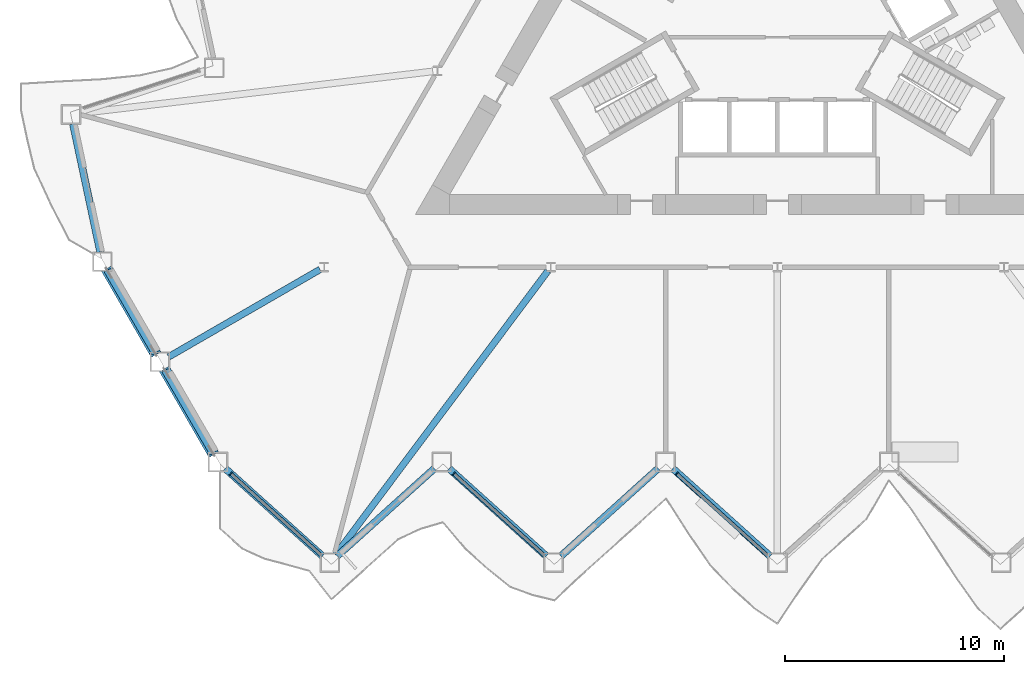
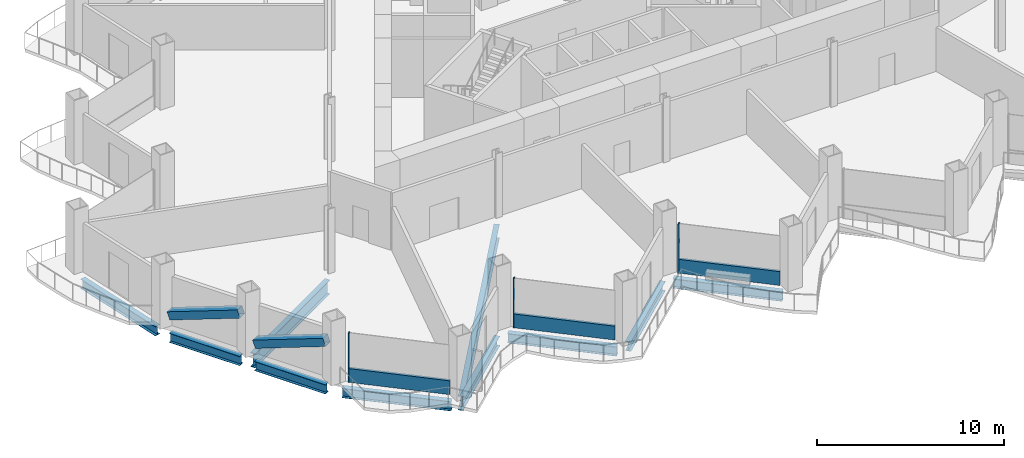
# One storey, part 3 of 21: 10 beams, 8 members, 3 elements without a shape of their own.
"""IFC4 building model written with IfcOpenShell, lengths in metres."""

from ifc_helpers import new_model, si_unit, direction, frame, origin, origin_2d, place, context, subcontext, project, spatial, rectangle, hollow_rectangle, i_section, extrude, material, layer, layer_set, material_profile, profile_set, type_object, element, aggregate, save


model = new_model("IFC4")

# Units and contexts
model_context = context("Model", 3, precision=1e-05, world=origin(), true_north=direction((0.0, 1.0)))
body_context = subcontext(model_context, "Body", "Model", "MODEL_VIEW")
ifc_project = project(units=[si_unit("LENGTHUNIT", "METRE"), si_unit("AREAUNIT", "SQUARE_METRE"), si_unit("VOLUMEUNIT", "CUBIC_METRE"), si_unit("PLANEANGLEUNIT", "RADIAN"), si_unit("MASSUNIT", "GRAM", prefix="KILO")], contexts=[model_context])

# Site, building, storey
site_placement = place(None, origin())
site = spatial("IfcSite", under=ifc_project, at=site_placement, CompositionType="ELEMENT")
building_placement = place(site_placement, origin())
building = spatial("IfcBuilding", under=site, at=building_placement, Name="Cormorant Prow Tower", CompositionType="ELEMENT")
storey_placement = place(building_placement, frame((0.0, 0.0, 150.0)))
storey = spatial("IfcBuildingStorey", under=building, at=storey_placement, Name="L32", CompositionType="ELEMENT", Elevation=150.0)

# Members
ifc_material_1 = material(Name="Structural steel ASTM A500 Gr C", Category="steel")
ifc_material_profile_1 = material_profile(ifc_material_1, hollow_rectangle(XDim=0.508056640625, YDim=0.508056640625, WallThickness=0.014892578125, at=origin_2d()), Name="HSS20x20x5/8")
ifc_profile_set_1 = profile_set([ifc_material_profile_1], Name="Structural steel ASTM A500 Gr C")
member_type_1 = type_object("IfcMemberType", Name="Chamfer brace HSS20x20x5/8", PredefinedType="BRACE", material=ifc_profile_set_1)
for number, where, z_axis, x_axis, name in (
    (1, (-30.535400390625, -12.0849609375, 0.776611328125), (0.467784671838, -0.810243526908, 0.35310469821), (0.866029868417, 0.499992266949, 0.0), "Chamfer brace BR1 at WSW00 L32"),
    (2, (-27.900634765625, -16.648681640625, 0.776611328125), (0.467784671838, -0.810243526908, 0.35310469821), (0.866029868417, 0.499992266949, 0.0), "Chamfer brace BR1 at WSW01 L32"),
):
    element("IfcMember", number, at=place(storey_placement, frame(where, z_axis=z_axis, x_axis=x_axis)), inside=storey, type_object=member_type_1, Name=name, PredefinedType="BRACE", context=body_context, shape_type="SweptSolid", body=[
        extrude(hollow_rectangle(XDim=0.508056640625, YDim=0.508056640625, WallThickness=0.014892578125, at=origin_2d()), origin(), (0.0, 0.0, 1.0), 4.632568359375),
    ])

# Curtain wall, member
ifc_material_2 = material(Name="Aluminium 6063-T6", Category="aluminium")
ifc_layer = layer(ifc_material_2, 0.199951171875)
ifc_layer_set = layer_set([ifc_layer], Name="Aluminium 6063-T6")
curtain_wall_type = type_object("IfcCurtainWallType", Name="Office unitised curtain wall 200", PredefinedType="NOTDEFINED", material=ifc_layer_set)
curtain_wall_1_placement = place(storey_placement, origin())
curtain_wall_1 = element("IfcCurtainWall", 3, at=curtain_wall_1_placement, inside=storey, type_object=curtain_wall_type, Name="Office curtain wall S00", PredefinedType="NOTDEFINED")
ifc_material_3 = material(Name="Aluminium 6063-T6", Category="aluminium")
ifc_material_profile_2 = material_profile(ifc_material_3, rectangle(XDim=0.199951171875, YDim=0.06005859375, at=origin_2d()), Name="Office mullion 60x200")
ifc_profile_set_2 = profile_set([ifc_material_profile_2], Name="Aluminium 6063-T6")
member_type_2 = type_object("IfcMemberType", Name="Office mullion 60x200", PredefinedType="MULLION", material=ifc_profile_set_2)
member_1_placement = place(storey_placement, frame((-24.912109375, -21.347412109375, 0.0), z_axis=(0.0, 0.0, 1.0), x_axis=(0.669130475449, 0.743144943349, 0.0)))
member_1 = element("IfcMember", 4, at=member_1_placement, type_object=member_type_2, Name="Office mullion S00", PredefinedType="MULLION", context=body_context, shape_type="SweptSolid", body=[
    extrude(rectangle(XDim=0.199951171875, YDim=0.06005859375, at=origin_2d()), origin(), (0.0, 0.0, 1.0), 3.18896484375),
])

curtain_wall_2_placement = place(storey_placement, origin())
curtain_wall_2 = element("IfcCurtainWall", 5, at=curtain_wall_2_placement, inside=storey, type_object=curtain_wall_type, Name="Office curtain wall S02", PredefinedType="NOTDEFINED")
member_2_placement = place(storey_placement, frame((-14.749267578125, -21.347412109375, 0.0), z_axis=(0.0, 0.0, 1.0), x_axis=(0.669130548174, 0.743144877867, 0.0)))
member_2 = element("IfcMember", 6, at=member_2_placement, type_object=member_type_2, Name="Office mullion S02", PredefinedType="MULLION", context=body_context, shape_type="SweptSolid", body=[
    extrude(rectangle(XDim=0.199951171875, YDim=0.06005859375, at=origin_2d()), origin(), (0.0, 0.0, 1.0), 3.18896484375),
])

curtain_wall_3_placement = place(storey_placement, origin())
curtain_wall_3 = element("IfcCurtainWall", 7, at=curtain_wall_3_placement, inside=storey, type_object=curtain_wall_type, Name="Office curtain wall S04", PredefinedType="NOTDEFINED")
member_3_placement = place(storey_placement, frame((-4.58642578125, -21.347412109375, 0.0), z_axis=(0.0, 0.0, 1.0), x_axis=(0.669130548174, 0.743144877867, 0.0)))
member_3 = element("IfcMember", 8, at=member_3_placement, type_object=member_type_2, Name="Office mullion S04", PredefinedType="MULLION", context=body_context, shape_type="SweptSolid", body=[
    extrude(rectangle(XDim=0.199951171875, YDim=0.06005859375, at=origin_2d()), origin(), (0.0, 0.0, 1.0), 3.18896484375),
])

# Member
ifc_material_4 = material(Name="Terracotta", Category="masonry")
ifc_material_profile_3 = material_profile(ifc_material_4, rectangle(XDim=0.159912109375, YDim=0.89990234375, at=origin_2d()), Name="Office terracotta spandrel rail 160x900")
ifc_profile_set_3 = profile_set([ifc_material_profile_3], Name="Terracotta")
member_type_3 = type_object("IfcMemberType", Name="Office terracotta spandrel rail 160x900", PredefinedType="USERDEFINED", material=ifc_profile_set_3)
member_4_placement = place(storey_placement, frame((-24.889892578125, -21.367431640625, 0.449951171875), z_axis=(0.743141989368, -0.669133756164, 0.0), x_axis=(0.669133756164, 0.743141989368, 0.0)))
member_4 = element("IfcMember", 9, at=member_4_placement, type_object=member_type_3, Name="Office spandrel rail S00", ObjectType="TRANSOM", PredefinedType="USERDEFINED", context=body_context, shape_type="SweptSolid", body=[
    extrude(rectangle(XDim=0.159912109375, YDim=0.89990234375, at=origin_2d()), origin(), (0.0, 0.0, 1.0), 5.505859375),
])

aggregate(curtain_wall_1, [member_1, member_4])

member_5_placement = place(storey_placement, frame((-14.72705078125, -21.367431640625, 0.449951171875), z_axis=(0.743141989368, -0.669133756164, 0.0), x_axis=(0.669133756164, 0.743141989368, 0.0)))
member_5 = element("IfcMember", 10, at=member_5_placement, type_object=member_type_3, Name="Office spandrel rail S02", ObjectType="TRANSOM", PredefinedType="USERDEFINED", context=body_context, shape_type="SweptSolid", body=[
    extrude(rectangle(XDim=0.159912109375, YDim=0.89990234375, at=origin_2d()), origin(), (0.0, 0.0, 1.0), 5.505859375),
])

aggregate(curtain_wall_2, [member_2, member_5])

member_6_placement = place(storey_placement, frame((-4.564208984375, -21.367431640625, 0.449951171875), z_axis=(0.743141989368, -0.669133756164, 0.0), x_axis=(0.669133756164, 0.743141989368, 0.0)))
member_6 = element("IfcMember", 11, at=member_6_placement, type_object=member_type_3, Name="Office spandrel rail S04", ObjectType="TRANSOM", PredefinedType="USERDEFINED", context=body_context, shape_type="SweptSolid", body=[
    extrude(rectangle(XDim=0.159912109375, YDim=0.89990234375, at=origin_2d()), origin(), (0.0, 0.0, 1.0), 5.505859375),
])

aggregate(curtain_wall_3, [member_3, member_6])

# Beams
ifc_material_5 = material(Name="Structural steel ASTM A992 Gr 50", Category="steel")
ifc_material_profile_4 = material_profile(ifc_material_5, i_section(OverallWidth=0.3046875, OverallDepth=0.914794921875, WebThickness=0.0166015625, FlangeThickness=0.02587890625, at=origin_2d()), Name="W36x160")
ifc_profile_set_4 = profile_set([ifc_material_profile_4], Name="Structural steel ASTM A992 Gr 50")
beam_type_1 = type_object("IfcBeamType", Name="Radial floor beam W36x160", PredefinedType="BEAM", material=ifc_profile_set_4)
beam_1_placement = place(storey_placement, frame((-20.84521484375, -12.034912109375, -0.857421875), z_axis=(-0.866018715534, -0.50001158421, 0.0), x_axis=(0.50001158421, -0.866018715534, 0.0)))
element("IfcBeam", 12, at=beam_1_placement, inside=storey, type_object=beam_type_1, Name="Radial floor beam FB1 5 L32", PredefinedType="BEAM", context=body_context, shape_type="SweptSolid", body=[
    extrude(i_section(OverallWidth=0.3046875, OverallDepth=0.914794921875, WebThickness=0.0166015625, FlangeThickness=0.02587890625, at=origin_2d()), origin(), (0.0, 0.0, 1.0), 7.967041015625),
])
beam_2_placement = place(storey_placement, frame((-10.458740234375, -12.100341796875, -0.857421875), z_axis=(-0.598722444929, -0.800956574315, 0.0), x_axis=(0.800956574315, -0.598722444929, 0.0)))
element("IfcBeam", 13, at=beam_2_placement, inside=storey, type_object=beam_type_1, Name="Radial floor beam FB1 6 L32", PredefinedType="BEAM", context=body_context, shape_type="SweptSolid", body=[
    extrude(i_section(OverallWidth=0.3046875, OverallDepth=0.914794921875, WebThickness=0.0166015625, FlangeThickness=0.02587890625, at=origin_2d()), origin(), (0.0, 0.0, 1.0), 16.15380859375),
])
ifc_material_6 = material(Name="Structural steel ASTM A992 Gr 50", Category="steel")
ifc_material_profile_5 = material_profile(ifc_material_6, i_section(OverallWidth=0.32373046875, OverallDepth=0.611083984375, WebThickness=0.0126953125, FlangeThickness=0.01904296875, at=origin_2d()), Name="W24x104")
ifc_profile_set_5 = profile_set([ifc_material_profile_5], Name="Structural steel ASTM A992 Gr 50")
beam_type_2 = type_object("IfcBeamType", Name="Spandrel beam W24x104", PredefinedType="SPANDREL", material=ifc_profile_set_5)
for number, where, z_axis, x_axis, name in (
    (14, (-25.165283203125, -21.108154296875, -0.70556640625), (0.743131253571, -0.66914567918, 0.0), (0.66914567918, 0.743131253571, 0.0), "Spandrel beam SB1 S00-S01 L32"),
    (15, (-20.0654296875, -25.09814453125, -0.70556640625), (0.743131253571, 0.66914567918, 0.0), (-0.66914567918, 0.743131253571, 0.0), "Spandrel beam SB1 S01-S02 L32"),
    (16, (-14.96533203125, -21.108154296875, -0.70556640625), (0.743131253571, -0.66914567918, 0.0), (0.66914567918, 0.743131253571, 0.0), "Spandrel beam SB1 S02-S03 L32"),
    (17, (-9.865478515625, -25.09814453125, -0.70556640625), (0.743131253571, 0.66914567918, 0.0), (-0.66914567918, 0.743131253571, 0.0), "Spandrel beam SB1 S03-S04 L32"),
    (18, (-4.765625, -21.108154296875, -0.70556640625), (0.743131253571, -0.66914567918, 0.0), (0.66914567918, 0.743131253571, 0.0), "Spandrel beam SB1 S04-S05 L32"),
    (19, (-32.1025390625, -5.4072265625, -0.70556640625), (0.207912620873, -0.978147403044, 0.0), (0.978147403044, 0.207912620873, 0.0), "Spandrel beam SB1 WNW09-WSW00 L32"),
):
    element("IfcBeam", number, at=place(storey_placement, frame(where, z_axis=z_axis, x_axis=x_axis)), inside=storey, type_object=beam_type_2, Name=name, PredefinedType="SPANDREL", context=body_context, shape_type="SweptSolid", body=[
        extrude(i_section(OverallWidth=0.32373046875, OverallDepth=0.611083984375, WebThickness=0.0126953125, FlangeThickness=0.01904296875, at=origin_2d()), origin(), (0.0, 0.0, 1.0), 5.962890625),
    ])
for number, where, z_axis, x_axis, name in (
    (20, (-30.54443359375, -12.069580078125, -0.70556640625), (0.500002967982, -0.866023690213, 0.0), (0.866023690213, 0.500002967982, 0.0), "Spandrel beam SB1 WSW00-WSW01 L32"),
    (21, (-27.909423828125, -16.63330078125, -0.70556640625), (0.500002967982, -0.866023690213, 0.0), (0.866023690213, 0.500002967982, 0.0), "Spandrel beam SB1 WSW01-S00 L32"),
):
    element("IfcBeam", number, at=place(storey_placement, frame(where, z_axis=z_axis, x_axis=x_axis)), inside=storey, type_object=beam_type_2, Name=name, PredefinedType="SPANDREL", context=body_context, shape_type="SweptSolid", body=[
        extrude(i_section(OverallWidth=0.32373046875, OverallDepth=0.611083984375, WebThickness=0.0126953125, FlangeThickness=0.01904296875, at=origin_2d()), origin(), (0.0, 0.0, 1.0), 4.36962890625),
    ])

save(model, "model.ifc")
